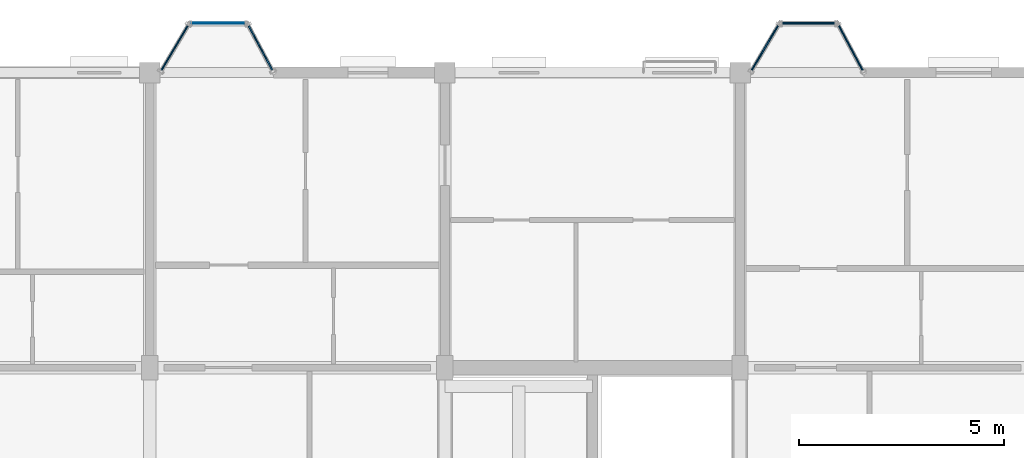
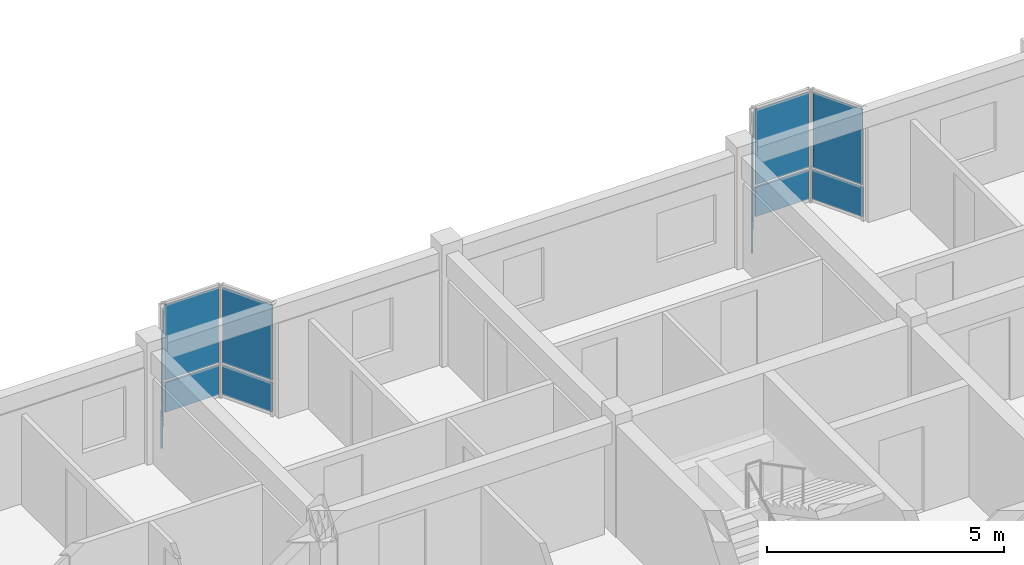
# One storey, part 15 of 38: 12 plates, 6 elements without a shape of their own.
"""IFC4 building model written with IfcOpenShell, lengths in metres."""

from ifc_helpers import new_model, si_unit, direction, frame, origin, origin_2d, place, context, subcontext, project, spatial, rectangle, extrude, material, layer, layer_set, type_object, element, aggregate, save


model = new_model("IFC4")

# Units and contexts
model_context = context("Model", 3, precision=1e-05, world=origin(), true_north=direction((0.0, 1.0)))
body_context = subcontext(model_context, "Body", "Model", "MODEL_VIEW")
ifc_project = project(units=[si_unit("LENGTHUNIT", "METRE"), si_unit("AREAUNIT", "SQUARE_METRE"), si_unit("VOLUMEUNIT", "CUBIC_METRE"), si_unit("PLANEANGLEUNIT", "RADIAN"), si_unit("MASSUNIT", "GRAM", prefix="KILO"), si_unit("THERMODYNAMICTEMPERATUREUNIT", "KELVIN"), si_unit("POWERUNIT", "WATT")], contexts=[model_context])

# Site, building, storey
site_placement = place(None, origin())
site = spatial("IfcSite", under=ifc_project, at=site_placement, CompositionType="ELEMENT")
building_placement = place(site_placement, origin())
building = spatial("IfcBuilding", under=site, at=building_placement, Name="Tavuni Mirador Residences", CompositionType="ELEMENT")
storey_placement = place(building_placement, frame((0.0, 0.0, 32.85009765625)))
storey = spatial("IfcBuildingStorey", under=building, at=storey_placement, Name="L10", CompositionType="ELEMENT", Elevation=32.85009765625)

# Curtain wall, plate
ifc_material_1 = material(Name="Anodised aluminium", Category="aluminium")
ifc_layer_1 = layer(ifc_material_1, 0.1650390625, Name="Anodised aluminium", Category="aluminium")
ifc_layer_set_1 = layer_set([ifc_layer_1], Name="Anodised aluminium")
curtain_wall_type_1 = type_object("IfcCurtainWallType", Name="CWT-MIR-A", PredefinedType="NOTDEFINED", material=ifc_layer_set_1)
curtain_wall_1_placement = place(storey_placement, origin())
curtain_wall_1 = element("IfcCurtainWall", 1, at=curtain_wall_1_placement, inside=storey, type_object=curtain_wall_type_1, Name="CW-MIR-C-N2-L10-M1", PredefinedType="NOTDEFINED")
ifc_material_2 = material(Name="Laminated solar-control glass", Category="glass")
ifc_layer_2 = layer(ifc_material_2, 0.02392578125, Name="Laminated solar-control glass", Category="glass")
ifc_layer_set_2 = layer_set([ifc_layer_2], Name="Laminated solar-control glass")
plate_type_1 = type_object("IfcPlateType", Name="CWP-GL24", PredefinedType="CURTAIN_PANEL", material=ifc_layer_set_2)
plate_1_placement = place(storey_placement, frame((35.10009765625, 173.39990234375, 0.8798828125), z_axis=(0.0, 0.0, 1.0), x_axis=(-0.470588235296, 0.882352941175, 0.0)))
plate_1 = element("IfcPlate", 2, at=plate_1_placement, type_object=plate_type_1, Name="CW-01 panel 1.2", PredefinedType="CURTAIN_PANEL", context=body_context, shape_type="SweptSolid", body=[
    extrude(rectangle(XDim=1.239990234375, YDim=0.02392578125, at=origin_2d()), origin(), (0.0, 0.0, 1.0), 1.945068359375),
])

curtain_wall_2_placement = place(storey_placement, origin())
curtain_wall_2 = element("IfcCurtainWall", 3, at=curtain_wall_2_placement, inside=storey, type_object=curtain_wall_type_1, Name="CW-MIR-C-N1-L10-MF", PredefinedType="NOTDEFINED")
plate_2_placement = place(storey_placement, frame((19.669921875, 174.0, 0.8798828125), z_axis=(0.0, 0.0, 1.0), x_axis=(-1.0, 0.0, 0.0)))
plate_2 = element("IfcPlate", 4, at=plate_2_placement, type_object=plate_type_1, Name="CW-01 panel 1.2", PredefinedType="CURTAIN_PANEL", context=body_context, shape_type="SweptSolid", body=[
    extrude(rectangle(XDim=1.300048828125, YDim=0.02392578125, at=origin_2d()), origin(), (0.0, 0.0, 1.0), 1.945068359375),
])

ifc_layer_3 = layer(ifc_material_1, 0.14990234375, Name="Anodised aluminium", Category="aluminium")
ifc_layer_set_3 = layer_set([ifc_layer_3], Name="Anodised aluminium")
curtain_wall_type_2 = type_object("IfcCurtainWallType", Name="CWT-MIR-B", PredefinedType="NOTDEFINED", material=ifc_layer_set_3)
curtain_wall_3_placement = place(storey_placement, origin())
curtain_wall_3 = element("IfcCurtainWall", 5, at=curtain_wall_3_placement, inside=storey, type_object=curtain_wall_type_2, Name="CW-MIR-C-N2-L10-MF", PredefinedType="NOTDEFINED")
ifc_layer_4 = layer(ifc_material_2, 0.028076171875, Name="Laminated solar-control glass", Category="glass")
ifc_layer_set_4 = layer_set([ifc_layer_4], Name="Laminated solar-control glass")
plate_type_2 = type_object("IfcPlateType", Name="CWP-GL28", PredefinedType="CURTAIN_PANEL", material=ifc_layer_set_4)
plate_3_placement = place(storey_placement, frame((34.070068359375, 174.0, 0.88232421875), z_axis=(0.0, 0.0, 1.0), x_axis=(-1.0, 0.0, 0.0)))
plate_3 = element("IfcPlate", 6, at=plate_3_placement, type_object=plate_type_2, Name="CW-02 panel 1.2", PredefinedType="CURTAIN_PANEL", context=body_context, shape_type="SweptSolid", body=[
    extrude(rectangle(XDim=1.2900390625, YDim=0.028076171875, at=origin_2d()), origin(), (0.0, 0.0, 1.0), 1.9375),
])

curtain_wall_4_placement = place(storey_placement, origin())
curtain_wall_4 = element("IfcCurtainWall", 7, at=curtain_wall_4_placement, inside=storey, type_object=curtain_wall_type_2, Name="CW-MIR-C-N1-L10-M2", PredefinedType="NOTDEFINED")
plate_4_placement = place(storey_placement, frame((18.60498046875, 173.39990234375, 0.88232421875), z_axis=(0.0, 0.0, 1.0), x_axis=(-0.509212491254, -0.860640830284, 0.0)))
plate_4 = element("IfcPlate", 8, at=plate_4_placement, type_object=plate_type_2, Name="CW-02 panel 1.2", PredefinedType="CURTAIN_PANEL", context=body_context, shape_type="SweptSolid", body=[
    extrude(rectangle(XDim=1.264404296875, YDim=0.028076171875, at=origin_2d()), origin(), (0.0, 0.0, 1.0), 1.9375),
])

ifc_layer_5 = layer(ifc_material_1, 0.175048828125, Name="Anodised aluminium", Category="aluminium")
ifc_layer_set_5 = layer_set([ifc_layer_5], Name="Anodised aluminium")
curtain_wall_type_3 = type_object("IfcCurtainWallType", Name="CWT-MIR-C", PredefinedType="NOTDEFINED", material=ifc_layer_set_5)
curtain_wall_5_placement = place(storey_placement, origin())
curtain_wall_5 = element("IfcCurtainWall", 9, at=curtain_wall_5_placement, inside=storey, type_object=curtain_wall_type_3, Name="CW-MIR-C-N2-L10-M2", PredefinedType="NOTDEFINED")
ifc_layer_6 = layer(ifc_material_2, 0.031982421875, Name="Laminated solar-control glass", Category="glass")
ifc_layer_set_6 = layer_set([ifc_layer_6], Name="Laminated solar-control glass")
plate_type_3 = type_object("IfcPlateType", Name="CWP-GL32", PredefinedType="CURTAIN_PANEL", material=ifc_layer_set_6)
plate_5_placement = place(storey_placement, frame((33.0048828125, 173.39990234375, 0.8798828125), z_axis=(0.0, 0.0, 1.0), x_axis=(-0.509212491254, -0.860640830284, 0.0)))
plate_5 = element("IfcPlate", 10, at=plate_5_placement, type_object=plate_type_3, Name="CW-03 panel 1.2", PredefinedType="CURTAIN_PANEL", context=body_context, shape_type="SweptSolid", body=[
    extrude(rectangle(XDim=1.2744140625, YDim=0.031982421875, at=origin_2d()), origin(), (0.0, 0.0, 1.0), 1.945068359375),
])

ifc_layer_7 = layer(ifc_material_1, 0.159912109375, Name="Anodised aluminium", Category="aluminium")
ifc_layer_set_7 = layer_set([ifc_layer_7], Name="Anodised aluminium")
curtain_wall_type_4 = type_object("IfcCurtainWallType", Name="CWT-MIR-D", PredefinedType="NOTDEFINED", material=ifc_layer_set_7)
curtain_wall_6_placement = place(storey_placement, origin())
curtain_wall_6 = element("IfcCurtainWall", 11, at=curtain_wall_6_placement, inside=storey, type_object=curtain_wall_type_4, Name="CW-MIR-C-N1-L10-M1", PredefinedType="NOTDEFINED")
ifc_layer_8 = layer(ifc_material_2, 0.035888671875, Name="Laminated solar-control glass", Category="glass")
ifc_layer_set_8 = layer_set([ifc_layer_8], Name="Laminated solar-control glass")
plate_type_4 = type_object("IfcPlateType", Name="CWP-GL36", PredefinedType="CURTAIN_PANEL", material=ifc_layer_set_8)
plate_6_placement = place(storey_placement, frame((20.699951171875, 173.39990234375, 0.88232421875), z_axis=(0.0, 0.0, 1.0), x_axis=(-0.470588235296, 0.882352941175, 0.0)))
plate_6 = element("IfcPlate", 12, at=plate_6_placement, type_object=plate_type_4, Name="CW-04 panel 1.2", PredefinedType="CURTAIN_PANEL", context=body_context, shape_type="SweptSolid", body=[
    extrude(rectangle(XDim=1.22998046875, YDim=0.035888671875, at=origin_2d()), origin(), (0.0, 0.0, 1.0), 1.9375),
])

# Plate
ifc_material_3 = material(Name="Ceramic trencadis mosaic panel", Category="masonry")
ifc_layer_9 = layer(ifc_material_3, 0.0419921875, Name="Ceramic trencadis mosaic panel", Category="masonry")
ifc_layer_set_9 = layer_set([ifc_layer_9], Name="Ceramic trencadis mosaic panel")
plate_type_5 = type_object("IfcPlateType", Name="CWP-SP42", PredefinedType="CURTAIN_PANEL", material=ifc_layer_set_9)
plate_7_placement = place(storey_placement, frame((35.10009765625, 173.39990234375, 0.06005859375), z_axis=(0.0, 0.0, 1.0), x_axis=(-0.470588235296, 0.882352941175, 0.0)))
plate_7 = element("IfcPlate", 13, at=plate_7_placement, type_object=plate_type_5, Name="CW-01 panel 1.1", PredefinedType="CURTAIN_PANEL", context=body_context, shape_type="SweptSolid", body=[
    extrude(rectangle(XDim=1.239990234375, YDim=0.0419921875, at=origin_2d()), origin(), (0.0, 0.0, 1.0), 0.760009765625),
])

aggregate(curtain_wall_1, [plate_7, plate_1])

plate_8_placement = place(storey_placement, frame((33.0048828125, 173.39990234375, 0.06005859375), z_axis=(0.0, 0.0, 1.0), x_axis=(-0.509212491254, -0.860640830284, 0.0)))
plate_8 = element("IfcPlate", 14, at=plate_8_placement, type_object=plate_type_5, Name="CW-03 panel 1.1", PredefinedType="CURTAIN_PANEL", context=body_context, shape_type="SweptSolid", body=[
    extrude(rectangle(XDim=1.2744140625, YDim=0.0419921875, at=origin_2d()), origin(), (0.0, 0.0, 1.0), 0.760009765625),
])

aggregate(curtain_wall_5, [plate_8, plate_5])

plate_9_placement = place(storey_placement, frame((19.669921875, 174.0, 0.06005859375), z_axis=(0.0, 0.0, 1.0), x_axis=(-1.0, 0.0, 0.0)))
plate_9 = element("IfcPlate", 15, at=plate_9_placement, type_object=plate_type_5, Name="CW-01 panel 1.1", PredefinedType="CURTAIN_PANEL", context=body_context, shape_type="SweptSolid", body=[
    extrude(rectangle(XDim=1.300048828125, YDim=0.0419921875, at=origin_2d()), origin(), (0.0, 0.0, 1.0), 0.760009765625),
])

aggregate(curtain_wall_2, [plate_9, plate_2])

ifc_layer_10 = layer(ifc_material_3, 0.048095703125, Name="Ceramic trencadis mosaic panel", Category="masonry")
ifc_layer_set_10 = layer_set([ifc_layer_10], Name="Ceramic trencadis mosaic panel")
plate_type_6 = type_object("IfcPlateType", Name="CWP-SP48", PredefinedType="CURTAIN_PANEL", material=ifc_layer_set_10)
plate_10_placement = place(storey_placement, frame((34.070068359375, 174.0, 0.06494140625), z_axis=(0.0, 0.0, 1.0), x_axis=(-1.0, 0.0, 0.0)))
plate_10 = element("IfcPlate", 16, at=plate_10_placement, type_object=plate_type_6, Name="CW-02 panel 1.1", PredefinedType="CURTAIN_PANEL", context=body_context, shape_type="SweptSolid", body=[
    extrude(rectangle(XDim=1.2900390625, YDim=0.048095703125, at=origin_2d()), origin(), (0.0, 0.0, 1.0), 0.75244140625),
])

aggregate(curtain_wall_3, [plate_10, plate_3])

plate_11_placement = place(storey_placement, frame((20.699951171875, 173.39990234375, 0.06494140625), z_axis=(0.0, 0.0, 1.0), x_axis=(-0.470588235296, 0.882352941175, 0.0)))
plate_11 = element("IfcPlate", 17, at=plate_11_placement, type_object=plate_type_6, Name="CW-04 panel 1.1", PredefinedType="CURTAIN_PANEL", context=body_context, shape_type="SweptSolid", body=[
    extrude(rectangle(XDim=1.22998046875, YDim=0.048095703125, at=origin_2d()), origin(), (0.0, 0.0, 1.0), 0.75244140625),
])

aggregate(curtain_wall_6, [plate_11, plate_6])

plate_12_placement = place(storey_placement, frame((18.60498046875, 173.39990234375, 0.06494140625), z_axis=(0.0, 0.0, 1.0), x_axis=(-0.509212491254, -0.860640830284, 0.0)))
plate_12 = element("IfcPlate", 18, at=plate_12_placement, type_object=plate_type_6, Name="CW-02 panel 1.1", PredefinedType="CURTAIN_PANEL", context=body_context, shape_type="SweptSolid", body=[
    extrude(rectangle(XDim=1.264404296875, YDim=0.048095703125, at=origin_2d()), origin(), (0.0, 0.0, 1.0), 0.75244140625),
])

aggregate(curtain_wall_4, [plate_12, plate_4])

save(model, "model.ifc")
